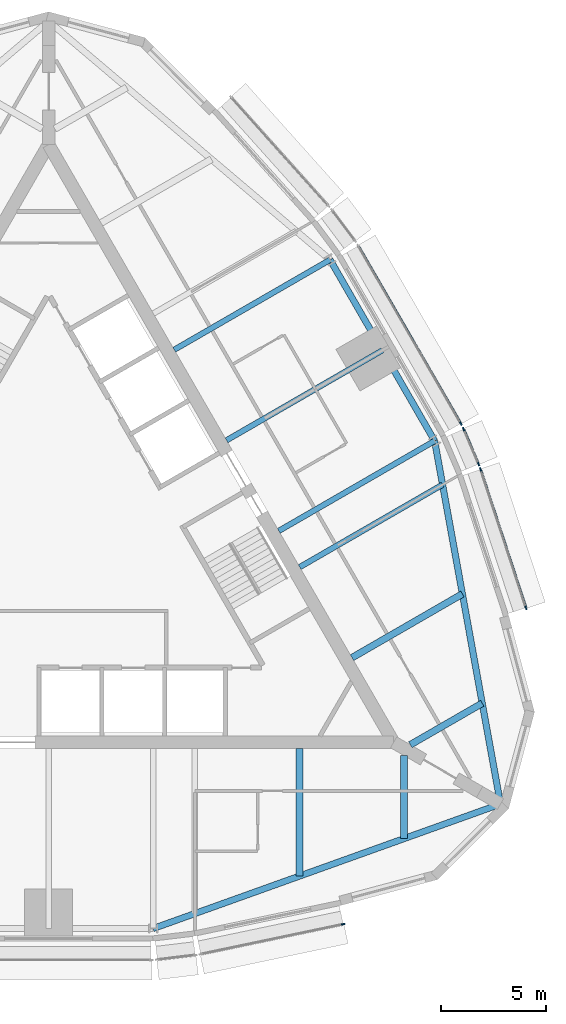
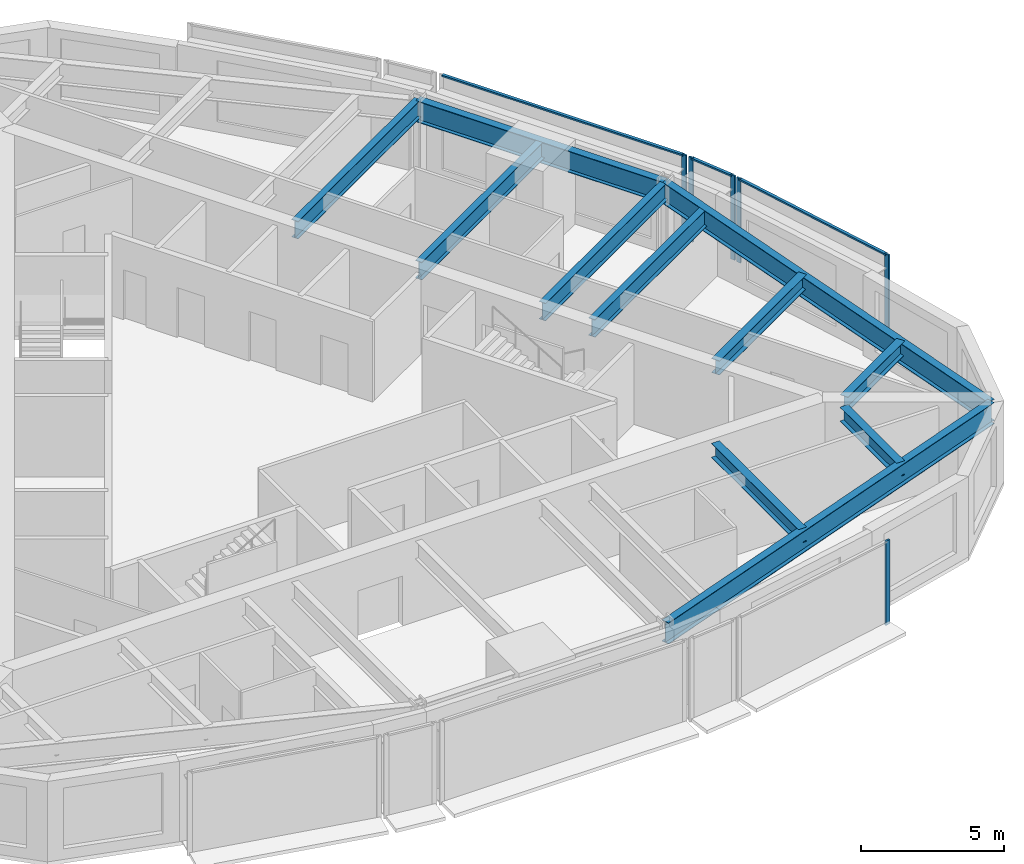
# One storey, part 4 of 12: 11 beams, 9 members, 4 elements without a shape of their own.
"""IFC4 building model written with IfcOpenShell, lengths in metres."""

from ifc_helpers import new_model, si_unit, direction, frame, origin, origin_2d, place, context, subcontext, project, spatial, rectangle, i_section, extrude, material, material_profile, profile_set, type_object, element, aggregate, save


model = new_model("IFC4")

# Units and contexts
model_context = context("Model", 3, precision=1e-05, world=origin(), true_north=direction((0.0, 1.0)))
body_context = subcontext(model_context, "Body", "Model", "MODEL_VIEW")
ifc_project = project(units=[si_unit("LENGTHUNIT", "METRE"), si_unit("AREAUNIT", "SQUARE_METRE"), si_unit("VOLUMEUNIT", "CUBIC_METRE"), si_unit("PLANEANGLEUNIT", "RADIAN"), si_unit("MASSUNIT", "GRAM", prefix="KILO")], contexts=[model_context])

# Site, building, storey
site_placement = place(None, origin())
site = spatial("IfcSite", under=ifc_project, at=site_placement, CompositionType="ELEMENT")
building_placement = place(site_placement, origin())
building = spatial("IfcBuilding", under=site, at=building_placement, Name="Trikona Tower", CompositionType="ELEMENT")
storey_placement = place(building_placement, frame((0.0, 0.0, 257.300048828125)))
storey = spatial("IfcBuildingStorey", under=building, at=storey_placement, Name="L68", CompositionType="ELEMENT", Elevation=257.300048828125)

# Curtain wall, member
ifc_material_1 = material(Name="Aluminium curtain wall system", Category="aluminium")
curtain_wall_type = type_object("IfcCurtainWallType", Name="Curtain wall DS3", PredefinedType="NOTDEFINED", material=ifc_material_1)
curtain_wall_1_placement = place(storey_placement, origin())
curtain_wall_1 = element("IfcCurtainWall", 1, at=curtain_wall_1_placement, inside=storey, type_object=curtain_wall_type, Name="Curtain wall DS3 L68", PredefinedType="NOTDEFINED")
ifc_material_2 = material(Name="Aluminium mullion, pale anodised", Category="aluminium")
ifc_material_profile_1 = material_profile(ifc_material_2, rectangle(XDim=0.070068359375, YDim=0.179931640625, at=origin_2d()), Name="MUL-DS3")
ifc_profile_set_1 = profile_set([ifc_material_profile_1], Name="Aluminium mullion, pale anodised")
member_type_1 = type_object("IfcMemberType", Name="Mullion DS3 70x180", PredefinedType="MULLION", material=ifc_profile_set_1)
member_1_placement = place(storey_placement, frame((14.092041015625, -18.220703125, 0.0), z_axis=(0.0, 0.0, 1.0), x_axis=(-0.205527448396, 0.978651351583, 0.0)))
member_1 = element("IfcMember", 2, at=member_1_placement, type_object=member_type_1, Name="CW-DS3 mullion 2", PredefinedType="MULLION", context=body_context, shape_type="SweptSolid", body=[
    extrude(rectangle(XDim=0.070068359375, YDim=0.179931640625, at=origin_2d()), origin(), (0.0, 0.0, 1.0), 3.599853515625),
])
aggregate(curtain_wall_1, [member_1])

# Curtain wall, members
curtain_wall_2_placement = place(storey_placement, origin())
curtain_wall_2 = element("IfcCurtainWall", 3, at=curtain_wall_2_placement, inside=storey, type_object=curtain_wall_type, Name="Curtain wall DS3 L68", PredefinedType="NOTDEFINED")
member_2_placement = place(storey_placement, frame((22.82568359375, -3.09375, 0.0), z_axis=(0.0, 0.0, 1.0), x_axis=(-0.95029742275, -0.311343553515, 0.0)))
member_2 = element("IfcMember", 4, at=member_2_placement, type_object=member_type_1, Name="CW-DS3 mullion 1", PredefinedType="MULLION", context=body_context, shape_type="SweptSolid", body=[
    extrude(rectangle(XDim=0.070068359375, YDim=0.179931640625, at=origin_2d()), origin(), (0.0, 0.0, 1.0), 3.599853515625),
])
member_3_placement = place(storey_placement, frame((20.657958984375, 3.52294921875, 0.0), z_axis=(0.0, 0.0, 1.0), x_axis=(-0.95029742275, -0.311343553515, 0.0)))
member_3 = element("IfcMember", 5, at=member_3_placement, type_object=member_type_1, Name="CW-DS3 mullion 2", PredefinedType="MULLION", context=body_context, shape_type="SweptSolid", body=[
    extrude(rectangle(XDim=0.070068359375, YDim=0.179931640625, at=origin_2d()), origin(), (0.0, 0.0, 1.0), 3.599853515625),
])

curtain_wall_3_placement = place(storey_placement, origin())
curtain_wall_3 = element("IfcCurtainWall", 6, at=curtain_wall_3_placement, inside=storey, type_object=curtain_wall_type, Name="Curtain wall DS3 L68", PredefinedType="NOTDEFINED")
member_4_placement = place(storey_placement, frame((20.563232421875, 3.7744140625, 0.0), z_axis=(0.0, 0.0, 1.0), x_axis=(-0.919420580163, -0.393275726143, 0.0)))
member_4 = element("IfcMember", 7, at=member_4_placement, type_object=member_type_1, Name="CW-DS3 mullion 1", PredefinedType="MULLION", context=body_context, shape_type="SweptSolid", body=[
    extrude(rectangle(XDim=0.070068359375, YDim=0.179931640625, at=origin_2d()), origin(), (0.0, 0.0, 1.0), 3.599853515625),
])
member_5_placement = place(storey_placement, frame((19.845703125, 5.45166015625, 0.0), z_axis=(0.0, 0.0, 1.0), x_axis=(-0.919420580163, -0.393275726143, 0.0)))
member_5 = element("IfcMember", 8, at=member_5_placement, type_object=member_type_1, Name="CW-DS3 mullion 2", PredefinedType="MULLION", context=body_context, shape_type="SweptSolid", body=[
    extrude(rectangle(XDim=0.070068359375, YDim=0.179931640625, at=origin_2d()), origin(), (0.0, 0.0, 1.0), 3.599853515625),
])

# Curtain wall, member
curtain_wall_4_placement = place(storey_placement, origin())
curtain_wall_4 = element("IfcCurtainWall", 9, at=curtain_wall_4_placement, inside=storey, type_object=curtain_wall_type, Name="Curtain wall DS3 L68", PredefinedType="NOTDEFINED")
member_6_placement = place(storey_placement, frame((19.712890625, 5.717529296875, 0.0), z_axis=(0.0, 0.0, 1.0), x_axis=(-0.866024619633, -0.500001358187, 0.0)))
member_6 = element("IfcMember", 10, at=member_6_placement, type_object=member_type_1, Name="CW-DS3 mullion 1", PredefinedType="MULLION", context=body_context, shape_type="SweptSolid", body=[
    extrude(rectangle(XDim=0.070068359375, YDim=0.179931640625, at=origin_2d()), origin(), (0.0, 0.0, 1.0), 3.599853515625),
])

# Beams
ifc_material_3 = material(Name="Steel ASTM A992 Grade 50", Category="steel")
ifc_material_profile_2 = material_profile(ifc_material_3, i_section(OverallWidth=0.3251953125, OverallDepth=0.612060546875, WebThickness=0.0126953125, FlangeThickness=0.01904296875, at=origin_2d()), Name="W24X104")
ifc_profile_set_2 = profile_set([ifc_material_profile_2], Name="Steel ASTM A992 Grade 50")
beam_type_1 = type_object("IfcBeamType", Name="Steel beam W24x104 (wedge upper)", PredefinedType="BEAM", material=ifc_profile_set_2)
beam_1_placement = place(storey_placement, frame((12.0, -9.826416015625, 3.12890625), z_axis=(0.0, -1.0, 0.0), x_axis=(1.0, 0.0, 0.0)))
element("IfcBeam", 11, at=beam_1_placement, inside=storey, type_object=beam_type_1, Name="Floor beam L69 F1 u12", PredefinedType="BEAM", context=body_context, shape_type="SweptSolid", body=[
    extrude(i_section(OverallWidth=0.3251953125, OverallDepth=0.612060546875, WebThickness=0.0126953125, FlangeThickness=0.01904296875, at=origin_2d()), origin(), (0.0, 0.0, 1.0), 6.094970703125),
])
for number, where, z_axis, x_axis, name in (
    (12, (17.0, -10.161376953125, 3.12890625), (0.0, -1.0, 0.0), (1.0, 0.0, 0.0), "Floor beam L69 F1 u17"),
    (13, (17.300048828125, -9.6416015625, 3.12890625), (0.866030866614, 0.499990537983, 0.0), (-0.499990537983, 0.866030866614, 0.0), "Floor beam L69 F2 u-17"),
):
    element("IfcBeam", number, at=place(storey_placement, frame(where, z_axis=z_axis, x_axis=x_axis)), inside=storey, type_object=beam_type_1, Name=name, PredefinedType="BEAM", context=body_context, shape_type="SweptSolid", body=[
        extrude(i_section(OverallWidth=0.3251953125, OverallDepth=0.612060546875, WebThickness=0.0126953125, FlangeThickness=0.01904296875, at=origin_2d()), origin(), (0.0, 0.0, 1.0), 3.9677734375),
    ])
beam_2_placement = place(storey_placement, frame((14.509765625, -5.479248046875, 3.12890625), z_axis=(0.866023498866, 0.500003299401, 0.0), x_axis=(-0.500003299401, 0.866023498866, 0.0)))
element("IfcBeam", 14, at=beam_2_placement, inside=storey, type_object=beam_type_1, Name="Floor beam L69 F2 u-12", PredefinedType="BEAM", context=body_context, shape_type="SweptSolid", body=[
    extrude(i_section(OverallWidth=0.3251953125, OverallDepth=0.612060546875, WebThickness=0.0126953125, FlangeThickness=0.01904296875, at=origin_2d()), origin(), (0.0, 0.0, 1.0), 6.09521484375),
])
ifc_material_4 = material(Name="Steel ASTM A992 Grade 50", Category="steel")
ifc_material_profile_3 = material_profile(ifc_material_4, i_section(OverallWidth=0.2666015625, OverallDepth=0.7568359375, WebThickness=0.013916015625, FlangeThickness=0.019287109375, at=origin_2d()), Name="W30X108")
ifc_profile_set_3 = profile_set([ifc_material_profile_3], Name="Steel ASTM A992 Grade 50")
beam_type_2 = type_object("IfcBeamType", Name="Steel beam W30x108 (radial upper)", PredefinedType="BEAM", material=ifc_profile_set_3)
beam_3_placement = place(storey_placement, frame((12.009765625, -1.14892578125, 3.056396484375), z_axis=(0.866034560358, 0.499984140014, 0.0), x_axis=(-0.499984140014, 0.866034560358, 0.0)))
element("IfcBeam", 15, at=beam_3_placement, inside=storey, type_object=beam_type_2, Name="Floor beam L69 F2 u-7", PredefinedType="BEAM", context=body_context, shape_type="SweptSolid", body=[
    extrude(i_section(OverallWidth=0.2666015625, OverallDepth=0.7568359375, WebThickness=0.013916015625, FlangeThickness=0.019287109375, at=origin_2d()), origin(), (0.0, 0.0, 1.0), 7.887451171875),
])
beam_4_placement = place(storey_placement, frame((11.009765625, 0.5830078125, 3.056396484375), z_axis=(0.866029182723, 0.49999345463, 0.0), x_axis=(-0.49999345463, 0.866029182723, 0.0)))
element("IfcBeam", 16, at=beam_4_placement, inside=storey, type_object=beam_type_2, Name="Floor beam L69 F2 u-5", PredefinedType="BEAM", context=body_context, shape_type="SweptSolid", body=[
    extrude(i_section(OverallWidth=0.2666015625, OverallDepth=0.7568359375, WebThickness=0.013916015625, FlangeThickness=0.019287109375, at=origin_2d()), origin(), (0.0, 0.0, 1.0), 8.60400390625),
])
beam_5_placement = place(storey_placement, frame((8.509765625, 4.9130859375, 3.056396484375), z_axis=(0.866016896067, 0.50001473551, 0.0), x_axis=(-0.50001473551, 0.866016896067, 0.0)))
element("IfcBeam", 17, at=beam_5_placement, inside=storey, type_object=beam_type_2, Name="Floor beam L69 F2 u0", PredefinedType="BEAM", context=body_context, shape_type="SweptSolid", body=[
    extrude(i_section(OverallWidth=0.2666015625, OverallDepth=0.7568359375, WebThickness=0.013916015625, FlangeThickness=0.019287109375, at=origin_2d()), origin(), (0.0, 0.0, 1.0), 8.604248046875),
])
beam_6_placement = place(storey_placement, frame((6.009765625, 9.243408203125, 3.056396484375), z_axis=(0.866029182723, 0.49999345463, 0.0), x_axis=(-0.49999345463, 0.866029182723, 0.0)))
element("IfcBeam", 18, at=beam_6_placement, inside=storey, type_object=beam_type_2, Name="Floor beam L69 F2 u5", PredefinedType="BEAM", context=body_context, shape_type="SweptSolid", body=[
    extrude(i_section(OverallWidth=0.2666015625, OverallDepth=0.7568359375, WebThickness=0.013916015625, FlangeThickness=0.019287109375, at=origin_2d()), origin(), (0.0, 0.0, 1.0), 8.60400390625),
])
ifc_material_5 = material(Name="Steel ASTM A992 Grade 50", Category="steel")
ifc_material_profile_4 = material_profile(ifc_material_5, i_section(OverallWidth=0.3046875, OverallDepth=0.911865234375, WebThickness=0.015869140625, FlangeThickness=0.02392578125, at=origin_2d()), Name="W36X150")
ifc_profile_set_4 = profile_set([ifc_material_profile_4], Name="Steel ASTM A992 Grade 50")
beam_type_3 = type_object("IfcBeamType", Name="Steel beam W36x150 (spandrel upper)", PredefinedType="SPANDREL", material=ifc_profile_set_4)
for number, where, z_axis, x_axis, name in (
    (19, (5.0, -18.430419921875, 2.97900390625), (0.941358144832, 0.337409014637, 0.0), (-0.337409014637, 0.941358144832, 0.0), "Spandrel beam L69 F1-3"),
    (20, (21.6103515625, -12.476806640625, 2.97900390625), (-0.178472662054, 0.983944870864, 0.0), (-0.983944870864, -0.178472662054, 0.0), "Spandrel beam L69 F2-1"),
):
    element("IfcBeam", number, at=place(storey_placement, frame(where, z_axis=z_axis, x_axis=x_axis)), inside=storey, type_object=beam_type_3, Name=name, PredefinedType="SPANDREL", context=body_context, shape_type="SweptSolid", body=[
        extrude(i_section(OverallWidth=0.3046875, OverallDepth=0.911865234375, WebThickness=0.015869140625, FlangeThickness=0.02392578125, at=origin_2d()), origin(), (0.0, 0.0, 1.0), 17.64501953125),
    ])
beam_7_placement = place(storey_placement, frame((18.461181640625, 4.885009765625, 2.97900390625), z_axis=(-0.499993662806, 0.866029062534, 0.0), x_axis=(-0.866029062534, -0.499993662806, 0.0)))
element("IfcBeam", 21, at=beam_7_placement, inside=storey, type_object=beam_type_3, Name="Spandrel beam L69 F2-2", PredefinedType="SPANDREL", context=body_context, shape_type="SweptSolid", body=[
    extrude(i_section(OverallWidth=0.3046875, OverallDepth=0.911865234375, WebThickness=0.015869140625, FlangeThickness=0.02392578125, at=origin_2d()), origin(), (0.0, 0.0, 1.0), 10.000244140625),
])

# Member
ifc_material_6 = material(Name="Aluminium transom, pale anodised", Category="aluminium")
ifc_material_profile_5 = material_profile(ifc_material_6, rectangle(XDim=0.1201171875, YDim=0.070068359375, at=origin_2d()), Name="TRN-DS3")
ifc_profile_set_5 = profile_set([ifc_material_profile_5], Name="Aluminium transom, pale anodised")
member_type_2 = type_object("IfcMemberType", Name="Transom DS3 70x120", PredefinedType="USERDEFINED", material=ifc_profile_set_5)
member_7_placement = place(storey_placement, frame((22.814697265625, -3.060302734375, 3.56494140625), z_axis=(-0.311346184, 0.950296560926, 0.0), x_axis=(-0.950296560926, -0.311346184, 0.0)))
member_7 = element("IfcMember", 22, at=member_7_placement, type_object=member_type_2, Name="CW-DS3 transom 1.1", ObjectType="TRANSOM", PredefinedType="USERDEFINED", context=body_context, shape_type="SweptSolid", body=[
    extrude(rectangle(XDim=0.1201171875, YDim=0.070068359375, at=origin_2d()), origin(), (0.0, 0.0, 1.0), 6.892578125),
])

aggregate(curtain_wall_2, [member_2, member_3, member_7])

member_8_placement = place(storey_placement, frame((20.549560546875, 3.806640625, 3.56494140625), z_axis=(-0.393314512783, 0.919403988481, 0.0), x_axis=(-0.919403988481, -0.393314512783, 0.0)))
member_8 = element("IfcMember", 23, at=member_8_placement, type_object=member_type_2, Name="CW-DS3 transom 1.1", ObjectType="TRANSOM", PredefinedType="USERDEFINED", context=body_context, shape_type="SweptSolid", body=[
    extrude(rectangle(XDim=0.1201171875, YDim=0.070068359375, at=origin_2d()), origin(), (0.0, 0.0, 1.0), 1.754150390625),
])

aggregate(curtain_wall_3, [member_4, member_5, member_8])

member_9_placement = place(storey_placement, frame((19.6953125, 5.747802734375, 3.56494140625), z_axis=(-0.500010305712, 0.866019453697, 0.0), x_axis=(-0.866019453697, -0.500010305712, 0.0)))
member_9 = element("IfcMember", 24, at=member_9_placement, type_object=member_type_2, Name="CW-DS3 transom 1.1", ObjectType="TRANSOM", PredefinedType="USERDEFINED", context=body_context, shape_type="SweptSolid", body=[
    extrude(rectangle(XDim=0.1201171875, YDim=0.070068359375, at=origin_2d()), origin(), (0.0, 0.0, 1.0), 9.739990234375),
])

aggregate(curtain_wall_4, [member_6, member_9])

save(model, "model.ifc")
